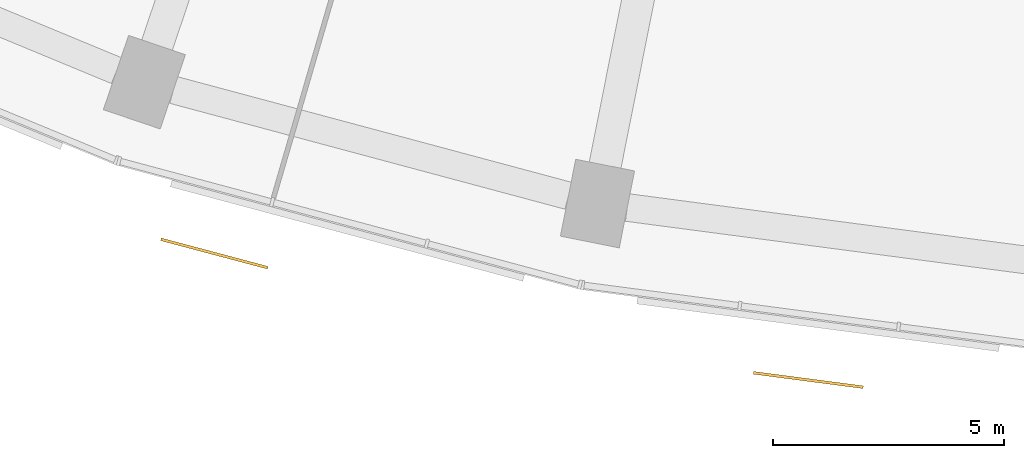
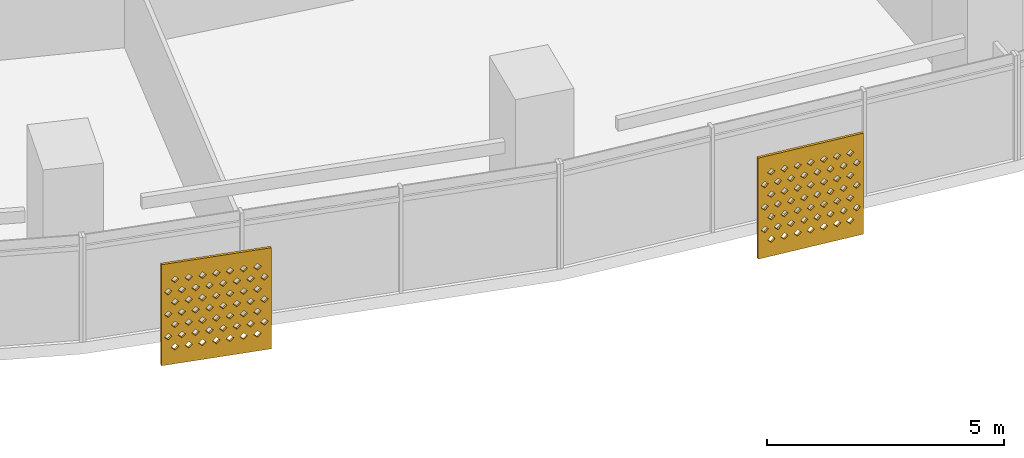
# One storey, part 27 of 31: 2 shading devices.
"""IFC4 building model written with IfcOpenShell, lengths in metres."""

from ifc_helpers import new_model, si_unit, direction, frame, origin, place, context, subcontext, project, spatial, polyline, outline, extrude, material, material_profile, profile_set, type_object, element, save


model = new_model("IFC4")

# Units and contexts
model_context = context("Model", 3, precision=1e-05, world=origin(), true_north=direction((0.0, 1.0)))
body_context = subcontext(model_context, "Body", "Model", "MODEL_VIEW")
ifc_project = project(units=[si_unit("LENGTHUNIT", "METRE"), si_unit("AREAUNIT", "SQUARE_METRE"), si_unit("VOLUMEUNIT", "CUBIC_METRE"), si_unit("PLANEANGLEUNIT", "RADIAN"), si_unit("MASSUNIT", "GRAM", prefix="KILO")], contexts=[model_context])

# Site, building, storey
site_placement = place(None, origin())
site = spatial("IfcSite", under=ifc_project, at=site_placement, CompositionType="ELEMENT")
building_placement = place(site_placement, origin())
building = spatial("IfcBuilding", under=site, at=building_placement, Name="Qamariyya Broadcast Tower", CompositionType="ELEMENT")
storey_placement = place(building_placement, frame((0.0, 0.0, 59.5)))
storey = spatial("IfcBuildingStorey", under=building, at=storey_placement, Name="L11", CompositionType="ELEMENT", Elevation=59.5)

# Shading devices
ifc_material = material(Name="Perforated glazed terracotta", Category="masonry")
ifc_material_profile = material_profile(ifc_material, outline(polyline([(-1.199951171875, -1.300048828125), (1.199951171875, -1.300048828125), (1.199951171875, 1.300048828125), (-1.199951171875, 1.300048828125), (-1.199951171875, -1.300048828125)]), holes=[polyline([(-0.81494140625, -0.86669921875), (-0.89990234375, -0.78173828125), (-0.985107421875, -0.86669921875), (-0.89990234375, -0.95166015625), (-0.81494140625, -0.86669921875)]), polyline([(-0.514892578125, -0.86669921875), (-0.60009765625, -0.78173828125), (-0.68505859375, -0.86669921875), (-0.60009765625, -0.95166015625), (-0.514892578125, -0.86669921875)]), polyline([(-0.215087890625, -0.86669921875), (-0.300048828125, -0.78173828125), (-0.385009765625, -0.86669921875), (-0.300048828125, -0.95166015625), (-0.215087890625, -0.86669921875)]), polyline([(0.0849609375, -0.86669921875), (0.0, -0.78173828125), (-0.0849609375, -0.86669921875), (0.0, -0.95166015625), (0.0849609375, -0.86669921875)]), polyline([(0.385009765625, -0.86669921875), (0.300048828125, -0.78173828125), (0.215087890625, -0.86669921875), (0.300048828125, -0.95166015625), (0.385009765625, -0.86669921875)]), polyline([(0.68505859375, -0.86669921875), (0.60009765625, -0.78173828125), (0.514892578125, -0.86669921875), (0.60009765625, -0.95166015625), (0.68505859375, -0.86669921875)]), polyline([(0.985107421875, -0.86669921875), (0.89990234375, -0.78173828125), (0.81494140625, -0.86669921875), (0.89990234375, -0.95166015625), (0.985107421875, -0.86669921875)]), polyline([(-0.965087890625, -0.577880859375), (-1.050048828125, -0.49267578125), (-1.135009765625, -0.577880859375), (-1.050048828125, -0.662841796875), (-0.965087890625, -0.577880859375)]), polyline([(-0.6650390625, -0.577880859375), (-0.75, -0.49267578125), (-0.8349609375, -0.577880859375), (-0.75, -0.662841796875), (-0.6650390625, -0.577880859375)]), polyline([(-0.364990234375, -0.577880859375), (-0.449951171875, -0.49267578125), (-0.534912109375, -0.577880859375), (-0.449951171875, -0.662841796875), (-0.364990234375, -0.577880859375)]), polyline([(-0.06494140625, -0.577880859375), (-0.14990234375, -0.49267578125), (-0.235107421875, -0.577880859375), (-0.14990234375, -0.662841796875), (-0.06494140625, -0.577880859375)]), polyline([(0.235107421875, -0.577880859375), (0.14990234375, -0.49267578125), (0.06494140625, -0.577880859375), (0.14990234375, -0.662841796875), (0.235107421875, -0.577880859375)]), polyline([(0.534912109375, -0.577880859375), (0.449951171875, -0.49267578125), (0.364990234375, -0.577880859375), (0.449951171875, -0.662841796875), (0.534912109375, -0.577880859375)]), polyline([(0.8349609375, -0.577880859375), (0.75, -0.49267578125), (0.6650390625, -0.577880859375), (0.75, -0.662841796875), (0.8349609375, -0.577880859375)]), polyline([(1.135009765625, -0.577880859375), (1.050048828125, -0.49267578125), (0.965087890625, -0.577880859375), (1.050048828125, -0.662841796875), (1.135009765625, -0.577880859375)]), polyline([(-0.81494140625, -0.288818359375), (-0.89990234375, -0.203857421875), (-0.985107421875, -0.288818359375), (-0.89990234375, -0.373779296875), (-0.81494140625, -0.288818359375)]), polyline([(-0.514892578125, -0.288818359375), (-0.60009765625, -0.203857421875), (-0.68505859375, -0.288818359375), (-0.60009765625, -0.373779296875), (-0.514892578125, -0.288818359375)]), polyline([(-0.215087890625, -0.288818359375), (-0.300048828125, -0.203857421875), (-0.385009765625, -0.288818359375), (-0.300048828125, -0.373779296875), (-0.215087890625, -0.288818359375)]), polyline([(0.0849609375, -0.288818359375), (0.0, -0.203857421875), (-0.0849609375, -0.288818359375), (0.0, -0.373779296875), (0.0849609375, -0.288818359375)]), polyline([(0.385009765625, -0.288818359375), (0.300048828125, -0.203857421875), (0.215087890625, -0.288818359375), (0.300048828125, -0.373779296875), (0.385009765625, -0.288818359375)]), polyline([(0.68505859375, -0.288818359375), (0.60009765625, -0.203857421875), (0.514892578125, -0.288818359375), (0.60009765625, -0.373779296875), (0.68505859375, -0.288818359375)]), polyline([(0.985107421875, -0.288818359375), (0.89990234375, -0.203857421875), (0.81494140625, -0.288818359375), (0.89990234375, -0.373779296875), (0.985107421875, -0.288818359375)]), polyline([(-0.965087890625, 0.0), (-1.050048828125, 0.0849609375), (-1.135009765625, 0.0), (-1.050048828125, -0.0849609375), (-0.965087890625, 0.0)]), polyline([(-0.6650390625, 0.0), (-0.75, 0.0849609375), (-0.8349609375, 0.0), (-0.75, -0.0849609375), (-0.6650390625, 0.0)]), polyline([(-0.364990234375, 0.0), (-0.449951171875, 0.0849609375), (-0.534912109375, 0.0), (-0.449951171875, -0.0849609375), (-0.364990234375, 0.0)]), polyline([(-0.06494140625, 0.0), (-0.14990234375, 0.0849609375), (-0.235107421875, 0.0), (-0.14990234375, -0.0849609375), (-0.06494140625, 0.0)]), polyline([(0.235107421875, 0.0), (0.14990234375, 0.0849609375), (0.06494140625, 0.0), (0.14990234375, -0.0849609375), (0.235107421875, 0.0)]), polyline([(0.534912109375, 0.0), (0.449951171875, 0.0849609375), (0.364990234375, 0.0), (0.449951171875, -0.0849609375), (0.534912109375, 0.0)]), polyline([(0.8349609375, 0.0), (0.75, 0.0849609375), (0.6650390625, 0.0), (0.75, -0.0849609375), (0.8349609375, 0.0)]), polyline([(1.135009765625, 0.0), (1.050048828125, 0.0849609375), (0.965087890625, 0.0), (1.050048828125, -0.0849609375), (1.135009765625, 0.0)]), polyline([(-0.81494140625, 0.288818359375), (-0.89990234375, 0.373779296875), (-0.985107421875, 0.288818359375), (-0.89990234375, 0.203857421875), (-0.81494140625, 0.288818359375)]), polyline([(-0.514892578125, 0.288818359375), (-0.60009765625, 0.373779296875), (-0.68505859375, 0.288818359375), (-0.60009765625, 0.203857421875), (-0.514892578125, 0.288818359375)]), polyline([(-0.215087890625, 0.288818359375), (-0.300048828125, 0.373779296875), (-0.385009765625, 0.288818359375), (-0.300048828125, 0.203857421875), (-0.215087890625, 0.288818359375)]), polyline([(0.0849609375, 0.288818359375), (0.0, 0.373779296875), (-0.0849609375, 0.288818359375), (0.0, 0.203857421875), (0.0849609375, 0.288818359375)]), polyline([(0.385009765625, 0.288818359375), (0.300048828125, 0.373779296875), (0.215087890625, 0.288818359375), (0.300048828125, 0.203857421875), (0.385009765625, 0.288818359375)]), polyline([(0.68505859375, 0.288818359375), (0.60009765625, 0.373779296875), (0.514892578125, 0.288818359375), (0.60009765625, 0.203857421875), (0.68505859375, 0.288818359375)]), polyline([(0.985107421875, 0.288818359375), (0.89990234375, 0.373779296875), (0.81494140625, 0.288818359375), (0.89990234375, 0.203857421875), (0.985107421875, 0.288818359375)]), polyline([(-0.965087890625, 0.577880859375), (-1.050048828125, 0.662841796875), (-1.135009765625, 0.577880859375), (-1.050048828125, 0.49267578125), (-0.965087890625, 0.577880859375)]), polyline([(-0.6650390625, 0.577880859375), (-0.75, 0.662841796875), (-0.8349609375, 0.577880859375), (-0.75, 0.49267578125), (-0.6650390625, 0.577880859375)]), polyline([(-0.364990234375, 0.577880859375), (-0.449951171875, 0.662841796875), (-0.534912109375, 0.577880859375), (-0.449951171875, 0.49267578125), (-0.364990234375, 0.577880859375)]), polyline([(-0.06494140625, 0.577880859375), (-0.14990234375, 0.662841796875), (-0.235107421875, 0.577880859375), (-0.14990234375, 0.49267578125), (-0.06494140625, 0.577880859375)]), polyline([(0.235107421875, 0.577880859375), (0.14990234375, 0.662841796875), (0.06494140625, 0.577880859375), (0.14990234375, 0.49267578125), (0.235107421875, 0.577880859375)]), polyline([(0.534912109375, 0.577880859375), (0.449951171875, 0.662841796875), (0.364990234375, 0.577880859375), (0.449951171875, 0.49267578125), (0.534912109375, 0.577880859375)]), polyline([(0.8349609375, 0.577880859375), (0.75, 0.662841796875), (0.6650390625, 0.577880859375), (0.75, 0.49267578125), (0.8349609375, 0.577880859375)]), polyline([(1.135009765625, 0.577880859375), (1.050048828125, 0.662841796875), (0.965087890625, 0.577880859375), (1.050048828125, 0.49267578125), (1.135009765625, 0.577880859375)]), polyline([(-0.81494140625, 0.86669921875), (-0.89990234375, 0.95166015625), (-0.985107421875, 0.86669921875), (-0.89990234375, 0.78173828125), (-0.81494140625, 0.86669921875)]), polyline([(-0.514892578125, 0.86669921875), (-0.60009765625, 0.95166015625), (-0.68505859375, 0.86669921875), (-0.60009765625, 0.78173828125), (-0.514892578125, 0.86669921875)]), polyline([(-0.215087890625, 0.86669921875), (-0.300048828125, 0.95166015625), (-0.385009765625, 0.86669921875), (-0.300048828125, 0.78173828125), (-0.215087890625, 0.86669921875)]), polyline([(0.0849609375, 0.86669921875), (0.0, 0.95166015625), (-0.0849609375, 0.86669921875), (0.0, 0.78173828125), (0.0849609375, 0.86669921875)]), polyline([(0.385009765625, 0.86669921875), (0.300048828125, 0.95166015625), (0.215087890625, 0.86669921875), (0.300048828125, 0.78173828125), (0.385009765625, 0.86669921875)]), polyline([(0.68505859375, 0.86669921875), (0.60009765625, 0.95166015625), (0.514892578125, 0.86669921875), (0.60009765625, 0.78173828125), (0.68505859375, 0.86669921875)]), polyline([(0.985107421875, 0.86669921875), (0.89990234375, 0.95166015625), (0.81494140625, 0.86669921875), (0.89990234375, 0.78173828125), (0.985107421875, 0.86669921875)])]))
ifc_profile_set = profile_set([ifc_material_profile], Name="Perforated glazed terracotta")
shading_device_type = type_object("IfcShadingDeviceType", Name="Perforated terracotta screen 2400 x 2600", PredefinedType="USERDEFINED", material=ifc_profile_set)
shading_device_1_placement = place(storey_placement, frame((-23.466064453125, -77.310302734375, 1.35009765625), z_axis=(-0.256901156343, -0.966437683387, 0.0), x_axis=(0.966437683387, -0.256901156343, 0.0)))
element("IfcShadingDevice", 1, at=shading_device_1_placement, inside=storey, type_object=shading_device_type, Name="e-scr-L11-06-0", ObjectType="SCREEN", PredefinedType="USERDEFINED", context=body_context, shape_type="SweptSolid", body=[
    extrude(outline(polyline([(-1.199951171875, -1.300048828125), (1.199951171875, -1.300048828125), (1.199951171875, 1.300048828125), (-1.199951171875, 1.300048828125), (-1.199951171875, -1.300048828125)]), holes=[polyline([(-0.81494140625, -0.86669921875), (-0.89990234375, -0.78173828125), (-0.985107421875, -0.86669921875), (-0.89990234375, -0.95166015625), (-0.81494140625, -0.86669921875)]), polyline([(-0.514892578125, -0.86669921875), (-0.60009765625, -0.78173828125), (-0.68505859375, -0.86669921875), (-0.60009765625, -0.95166015625), (-0.514892578125, -0.86669921875)]), polyline([(-0.215087890625, -0.86669921875), (-0.300048828125, -0.78173828125), (-0.385009765625, -0.86669921875), (-0.300048828125, -0.95166015625), (-0.215087890625, -0.86669921875)]), polyline([(0.0849609375, -0.86669921875), (0.0, -0.78173828125), (-0.0849609375, -0.86669921875), (0.0, -0.95166015625), (0.0849609375, -0.86669921875)]), polyline([(0.385009765625, -0.86669921875), (0.300048828125, -0.78173828125), (0.215087890625, -0.86669921875), (0.300048828125, -0.95166015625), (0.385009765625, -0.86669921875)]), polyline([(0.68505859375, -0.86669921875), (0.60009765625, -0.78173828125), (0.514892578125, -0.86669921875), (0.60009765625, -0.95166015625), (0.68505859375, -0.86669921875)]), polyline([(0.985107421875, -0.86669921875), (0.89990234375, -0.78173828125), (0.81494140625, -0.86669921875), (0.89990234375, -0.95166015625), (0.985107421875, -0.86669921875)]), polyline([(-0.965087890625, -0.577880859375), (-1.050048828125, -0.49267578125), (-1.135009765625, -0.577880859375), (-1.050048828125, -0.662841796875), (-0.965087890625, -0.577880859375)]), polyline([(-0.6650390625, -0.577880859375), (-0.75, -0.49267578125), (-0.8349609375, -0.577880859375), (-0.75, -0.662841796875), (-0.6650390625, -0.577880859375)]), polyline([(-0.364990234375, -0.577880859375), (-0.449951171875, -0.49267578125), (-0.534912109375, -0.577880859375), (-0.449951171875, -0.662841796875), (-0.364990234375, -0.577880859375)]), polyline([(-0.06494140625, -0.577880859375), (-0.14990234375, -0.49267578125), (-0.235107421875, -0.577880859375), (-0.14990234375, -0.662841796875), (-0.06494140625, -0.577880859375)]), polyline([(0.235107421875, -0.577880859375), (0.14990234375, -0.49267578125), (0.06494140625, -0.577880859375), (0.14990234375, -0.662841796875), (0.235107421875, -0.577880859375)]), polyline([(0.534912109375, -0.577880859375), (0.449951171875, -0.49267578125), (0.364990234375, -0.577880859375), (0.449951171875, -0.662841796875), (0.534912109375, -0.577880859375)]), polyline([(0.8349609375, -0.577880859375), (0.75, -0.49267578125), (0.6650390625, -0.577880859375), (0.75, -0.662841796875), (0.8349609375, -0.577880859375)]), polyline([(1.135009765625, -0.577880859375), (1.050048828125, -0.49267578125), (0.965087890625, -0.577880859375), (1.050048828125, -0.662841796875), (1.135009765625, -0.577880859375)]), polyline([(-0.81494140625, -0.288818359375), (-0.89990234375, -0.203857421875), (-0.985107421875, -0.288818359375), (-0.89990234375, -0.373779296875), (-0.81494140625, -0.288818359375)]), polyline([(-0.514892578125, -0.288818359375), (-0.60009765625, -0.203857421875), (-0.68505859375, -0.288818359375), (-0.60009765625, -0.373779296875), (-0.514892578125, -0.288818359375)]), polyline([(-0.215087890625, -0.288818359375), (-0.300048828125, -0.203857421875), (-0.385009765625, -0.288818359375), (-0.300048828125, -0.373779296875), (-0.215087890625, -0.288818359375)]), polyline([(0.0849609375, -0.288818359375), (0.0, -0.203857421875), (-0.0849609375, -0.288818359375), (0.0, -0.373779296875), (0.0849609375, -0.288818359375)]), polyline([(0.385009765625, -0.288818359375), (0.300048828125, -0.203857421875), (0.215087890625, -0.288818359375), (0.300048828125, -0.373779296875), (0.385009765625, -0.288818359375)]), polyline([(0.68505859375, -0.288818359375), (0.60009765625, -0.203857421875), (0.514892578125, -0.288818359375), (0.60009765625, -0.373779296875), (0.68505859375, -0.288818359375)]), polyline([(0.985107421875, -0.288818359375), (0.89990234375, -0.203857421875), (0.81494140625, -0.288818359375), (0.89990234375, -0.373779296875), (0.985107421875, -0.288818359375)]), polyline([(-0.965087890625, 0.0), (-1.050048828125, 0.0849609375), (-1.135009765625, 0.0), (-1.050048828125, -0.0849609375), (-0.965087890625, 0.0)]), polyline([(-0.6650390625, 0.0), (-0.75, 0.0849609375), (-0.8349609375, 0.0), (-0.75, -0.0849609375), (-0.6650390625, 0.0)]), polyline([(-0.364990234375, 0.0), (-0.449951171875, 0.0849609375), (-0.534912109375, 0.0), (-0.449951171875, -0.0849609375), (-0.364990234375, 0.0)]), polyline([(-0.06494140625, 0.0), (-0.14990234375, 0.0849609375), (-0.235107421875, 0.0), (-0.14990234375, -0.0849609375), (-0.06494140625, 0.0)]), polyline([(0.235107421875, 0.0), (0.14990234375, 0.0849609375), (0.06494140625, 0.0), (0.14990234375, -0.0849609375), (0.235107421875, 0.0)]), polyline([(0.534912109375, 0.0), (0.449951171875, 0.0849609375), (0.364990234375, 0.0), (0.449951171875, -0.0849609375), (0.534912109375, 0.0)]), polyline([(0.8349609375, 0.0), (0.75, 0.0849609375), (0.6650390625, 0.0), (0.75, -0.0849609375), (0.8349609375, 0.0)]), polyline([(1.135009765625, 0.0), (1.050048828125, 0.0849609375), (0.965087890625, 0.0), (1.050048828125, -0.0849609375), (1.135009765625, 0.0)]), polyline([(-0.81494140625, 0.288818359375), (-0.89990234375, 0.373779296875), (-0.985107421875, 0.288818359375), (-0.89990234375, 0.203857421875), (-0.81494140625, 0.288818359375)]), polyline([(-0.514892578125, 0.288818359375), (-0.60009765625, 0.373779296875), (-0.68505859375, 0.288818359375), (-0.60009765625, 0.203857421875), (-0.514892578125, 0.288818359375)]), polyline([(-0.215087890625, 0.288818359375), (-0.300048828125, 0.373779296875), (-0.385009765625, 0.288818359375), (-0.300048828125, 0.203857421875), (-0.215087890625, 0.288818359375)]), polyline([(0.0849609375, 0.288818359375), (0.0, 0.373779296875), (-0.0849609375, 0.288818359375), (0.0, 0.203857421875), (0.0849609375, 0.288818359375)]), polyline([(0.385009765625, 0.288818359375), (0.300048828125, 0.373779296875), (0.215087890625, 0.288818359375), (0.300048828125, 0.203857421875), (0.385009765625, 0.288818359375)]), polyline([(0.68505859375, 0.288818359375), (0.60009765625, 0.373779296875), (0.514892578125, 0.288818359375), (0.60009765625, 0.203857421875), (0.68505859375, 0.288818359375)]), polyline([(0.985107421875, 0.288818359375), (0.89990234375, 0.373779296875), (0.81494140625, 0.288818359375), (0.89990234375, 0.203857421875), (0.985107421875, 0.288818359375)]), polyline([(-0.965087890625, 0.577880859375), (-1.050048828125, 0.662841796875), (-1.135009765625, 0.577880859375), (-1.050048828125, 0.49267578125), (-0.965087890625, 0.577880859375)]), polyline([(-0.6650390625, 0.577880859375), (-0.75, 0.662841796875), (-0.8349609375, 0.577880859375), (-0.75, 0.49267578125), (-0.6650390625, 0.577880859375)]), polyline([(-0.364990234375, 0.577880859375), (-0.449951171875, 0.662841796875), (-0.534912109375, 0.577880859375), (-0.449951171875, 0.49267578125), (-0.364990234375, 0.577880859375)]), polyline([(-0.06494140625, 0.577880859375), (-0.14990234375, 0.662841796875), (-0.235107421875, 0.577880859375), (-0.14990234375, 0.49267578125), (-0.06494140625, 0.577880859375)]), polyline([(0.235107421875, 0.577880859375), (0.14990234375, 0.662841796875), (0.06494140625, 0.577880859375), (0.14990234375, 0.49267578125), (0.235107421875, 0.577880859375)]), polyline([(0.534912109375, 0.577880859375), (0.449951171875, 0.662841796875), (0.364990234375, 0.577880859375), (0.449951171875, 0.49267578125), (0.534912109375, 0.577880859375)]), polyline([(0.8349609375, 0.577880859375), (0.75, 0.662841796875), (0.6650390625, 0.577880859375), (0.75, 0.49267578125), (0.8349609375, 0.577880859375)]), polyline([(1.135009765625, 0.577880859375), (1.050048828125, 0.662841796875), (0.965087890625, 0.577880859375), (1.050048828125, 0.49267578125), (1.135009765625, 0.577880859375)]), polyline([(-0.81494140625, 0.86669921875), (-0.89990234375, 0.95166015625), (-0.985107421875, 0.86669921875), (-0.89990234375, 0.78173828125), (-0.81494140625, 0.86669921875)]), polyline([(-0.514892578125, 0.86669921875), (-0.60009765625, 0.95166015625), (-0.68505859375, 0.86669921875), (-0.60009765625, 0.78173828125), (-0.514892578125, 0.86669921875)]), polyline([(-0.215087890625, 0.86669921875), (-0.300048828125, 0.95166015625), (-0.385009765625, 0.86669921875), (-0.300048828125, 0.78173828125), (-0.215087890625, 0.86669921875)]), polyline([(0.0849609375, 0.86669921875), (0.0, 0.95166015625), (-0.0849609375, 0.86669921875), (0.0, 0.78173828125), (0.0849609375, 0.86669921875)]), polyline([(0.385009765625, 0.86669921875), (0.300048828125, 0.95166015625), (0.215087890625, 0.86669921875), (0.300048828125, 0.78173828125), (0.385009765625, 0.86669921875)]), polyline([(0.68505859375, 0.86669921875), (0.60009765625, 0.95166015625), (0.514892578125, 0.86669921875), (0.60009765625, 0.78173828125), (0.68505859375, 0.86669921875)]), polyline([(0.985107421875, 0.86669921875), (0.89990234375, 0.95166015625), (0.81494140625, 0.86669921875), (0.89990234375, 0.78173828125), (0.985107421875, 0.86669921875)])]), origin(), (0.0, 0.0, 1.0), 0.059814453125),
])
shading_device_2_placement = place(storey_placement, frame((-10.591796875, -80.0517578125, 1.35009765625), z_axis=(-0.1300340368, -0.991509530601, 0.0), x_axis=(0.991509530601, -0.1300340368, 0.0)))
element("IfcShadingDevice", 2, at=shading_device_2_placement, inside=storey, type_object=shading_device_type, Name="e-scr-L11-07-1", ObjectType="SCREEN", PredefinedType="USERDEFINED", context=body_context, shape_type="SweptSolid", body=[
    extrude(outline(polyline([(-1.199951171875, -1.300048828125), (1.199951171875, -1.300048828125), (1.199951171875, 1.300048828125), (-1.199951171875, 1.300048828125), (-1.199951171875, -1.300048828125)]), holes=[polyline([(-0.81494140625, -0.86669921875), (-0.89990234375, -0.78173828125), (-0.985107421875, -0.86669921875), (-0.89990234375, -0.95166015625), (-0.81494140625, -0.86669921875)]), polyline([(-0.514892578125, -0.86669921875), (-0.60009765625, -0.78173828125), (-0.68505859375, -0.86669921875), (-0.60009765625, -0.95166015625), (-0.514892578125, -0.86669921875)]), polyline([(-0.215087890625, -0.86669921875), (-0.300048828125, -0.78173828125), (-0.385009765625, -0.86669921875), (-0.300048828125, -0.95166015625), (-0.215087890625, -0.86669921875)]), polyline([(0.0849609375, -0.86669921875), (0.0, -0.78173828125), (-0.0849609375, -0.86669921875), (0.0, -0.95166015625), (0.0849609375, -0.86669921875)]), polyline([(0.385009765625, -0.86669921875), (0.300048828125, -0.78173828125), (0.215087890625, -0.86669921875), (0.300048828125, -0.95166015625), (0.385009765625, -0.86669921875)]), polyline([(0.68505859375, -0.86669921875), (0.60009765625, -0.78173828125), (0.514892578125, -0.86669921875), (0.60009765625, -0.95166015625), (0.68505859375, -0.86669921875)]), polyline([(0.985107421875, -0.86669921875), (0.89990234375, -0.78173828125), (0.81494140625, -0.86669921875), (0.89990234375, -0.95166015625), (0.985107421875, -0.86669921875)]), polyline([(-0.965087890625, -0.577880859375), (-1.050048828125, -0.49267578125), (-1.135009765625, -0.577880859375), (-1.050048828125, -0.662841796875), (-0.965087890625, -0.577880859375)]), polyline([(-0.6650390625, -0.577880859375), (-0.75, -0.49267578125), (-0.8349609375, -0.577880859375), (-0.75, -0.662841796875), (-0.6650390625, -0.577880859375)]), polyline([(-0.364990234375, -0.577880859375), (-0.449951171875, -0.49267578125), (-0.534912109375, -0.577880859375), (-0.449951171875, -0.662841796875), (-0.364990234375, -0.577880859375)]), polyline([(-0.06494140625, -0.577880859375), (-0.14990234375, -0.49267578125), (-0.235107421875, -0.577880859375), (-0.14990234375, -0.662841796875), (-0.06494140625, -0.577880859375)]), polyline([(0.235107421875, -0.577880859375), (0.14990234375, -0.49267578125), (0.06494140625, -0.577880859375), (0.14990234375, -0.662841796875), (0.235107421875, -0.577880859375)]), polyline([(0.534912109375, -0.577880859375), (0.449951171875, -0.49267578125), (0.364990234375, -0.577880859375), (0.449951171875, -0.662841796875), (0.534912109375, -0.577880859375)]), polyline([(0.8349609375, -0.577880859375), (0.75, -0.49267578125), (0.6650390625, -0.577880859375), (0.75, -0.662841796875), (0.8349609375, -0.577880859375)]), polyline([(1.135009765625, -0.577880859375), (1.050048828125, -0.49267578125), (0.965087890625, -0.577880859375), (1.050048828125, -0.662841796875), (1.135009765625, -0.577880859375)]), polyline([(-0.81494140625, -0.288818359375), (-0.89990234375, -0.203857421875), (-0.985107421875, -0.288818359375), (-0.89990234375, -0.373779296875), (-0.81494140625, -0.288818359375)]), polyline([(-0.514892578125, -0.288818359375), (-0.60009765625, -0.203857421875), (-0.68505859375, -0.288818359375), (-0.60009765625, -0.373779296875), (-0.514892578125, -0.288818359375)]), polyline([(-0.215087890625, -0.288818359375), (-0.300048828125, -0.203857421875), (-0.385009765625, -0.288818359375), (-0.300048828125, -0.373779296875), (-0.215087890625, -0.288818359375)]), polyline([(0.0849609375, -0.288818359375), (0.0, -0.203857421875), (-0.0849609375, -0.288818359375), (0.0, -0.373779296875), (0.0849609375, -0.288818359375)]), polyline([(0.385009765625, -0.288818359375), (0.300048828125, -0.203857421875), (0.215087890625, -0.288818359375), (0.300048828125, -0.373779296875), (0.385009765625, -0.288818359375)]), polyline([(0.68505859375, -0.288818359375), (0.60009765625, -0.203857421875), (0.514892578125, -0.288818359375), (0.60009765625, -0.373779296875), (0.68505859375, -0.288818359375)]), polyline([(0.985107421875, -0.288818359375), (0.89990234375, -0.203857421875), (0.81494140625, -0.288818359375), (0.89990234375, -0.373779296875), (0.985107421875, -0.288818359375)]), polyline([(-0.965087890625, 0.0), (-1.050048828125, 0.0849609375), (-1.135009765625, 0.0), (-1.050048828125, -0.0849609375), (-0.965087890625, 0.0)]), polyline([(-0.6650390625, 0.0), (-0.75, 0.0849609375), (-0.8349609375, 0.0), (-0.75, -0.0849609375), (-0.6650390625, 0.0)]), polyline([(-0.364990234375, 0.0), (-0.449951171875, 0.0849609375), (-0.534912109375, 0.0), (-0.449951171875, -0.0849609375), (-0.364990234375, 0.0)]), polyline([(-0.06494140625, 0.0), (-0.14990234375, 0.0849609375), (-0.235107421875, 0.0), (-0.14990234375, -0.0849609375), (-0.06494140625, 0.0)]), polyline([(0.235107421875, 0.0), (0.14990234375, 0.0849609375), (0.06494140625, 0.0), (0.14990234375, -0.0849609375), (0.235107421875, 0.0)]), polyline([(0.534912109375, 0.0), (0.449951171875, 0.0849609375), (0.364990234375, 0.0), (0.449951171875, -0.0849609375), (0.534912109375, 0.0)]), polyline([(0.8349609375, 0.0), (0.75, 0.0849609375), (0.6650390625, 0.0), (0.75, -0.0849609375), (0.8349609375, 0.0)]), polyline([(1.135009765625, 0.0), (1.050048828125, 0.0849609375), (0.965087890625, 0.0), (1.050048828125, -0.0849609375), (1.135009765625, 0.0)]), polyline([(-0.81494140625, 0.288818359375), (-0.89990234375, 0.373779296875), (-0.985107421875, 0.288818359375), (-0.89990234375, 0.203857421875), (-0.81494140625, 0.288818359375)]), polyline([(-0.514892578125, 0.288818359375), (-0.60009765625, 0.373779296875), (-0.68505859375, 0.288818359375), (-0.60009765625, 0.203857421875), (-0.514892578125, 0.288818359375)]), polyline([(-0.215087890625, 0.288818359375), (-0.300048828125, 0.373779296875), (-0.385009765625, 0.288818359375), (-0.300048828125, 0.203857421875), (-0.215087890625, 0.288818359375)]), polyline([(0.0849609375, 0.288818359375), (0.0, 0.373779296875), (-0.0849609375, 0.288818359375), (0.0, 0.203857421875), (0.0849609375, 0.288818359375)]), polyline([(0.385009765625, 0.288818359375), (0.300048828125, 0.373779296875), (0.215087890625, 0.288818359375), (0.300048828125, 0.203857421875), (0.385009765625, 0.288818359375)]), polyline([(0.68505859375, 0.288818359375), (0.60009765625, 0.373779296875), (0.514892578125, 0.288818359375), (0.60009765625, 0.203857421875), (0.68505859375, 0.288818359375)]), polyline([(0.985107421875, 0.288818359375), (0.89990234375, 0.373779296875), (0.81494140625, 0.288818359375), (0.89990234375, 0.203857421875), (0.985107421875, 0.288818359375)]), polyline([(-0.965087890625, 0.577880859375), (-1.050048828125, 0.662841796875), (-1.135009765625, 0.577880859375), (-1.050048828125, 0.49267578125), (-0.965087890625, 0.577880859375)]), polyline([(-0.6650390625, 0.577880859375), (-0.75, 0.662841796875), (-0.8349609375, 0.577880859375), (-0.75, 0.49267578125), (-0.6650390625, 0.577880859375)]), polyline([(-0.364990234375, 0.577880859375), (-0.449951171875, 0.662841796875), (-0.534912109375, 0.577880859375), (-0.449951171875, 0.49267578125), (-0.364990234375, 0.577880859375)]), polyline([(-0.06494140625, 0.577880859375), (-0.14990234375, 0.662841796875), (-0.235107421875, 0.577880859375), (-0.14990234375, 0.49267578125), (-0.06494140625, 0.577880859375)]), polyline([(0.235107421875, 0.577880859375), (0.14990234375, 0.662841796875), (0.06494140625, 0.577880859375), (0.14990234375, 0.49267578125), (0.235107421875, 0.577880859375)]), polyline([(0.534912109375, 0.577880859375), (0.449951171875, 0.662841796875), (0.364990234375, 0.577880859375), (0.449951171875, 0.49267578125), (0.534912109375, 0.577880859375)]), polyline([(0.8349609375, 0.577880859375), (0.75, 0.662841796875), (0.6650390625, 0.577880859375), (0.75, 0.49267578125), (0.8349609375, 0.577880859375)]), polyline([(1.135009765625, 0.577880859375), (1.050048828125, 0.662841796875), (0.965087890625, 0.577880859375), (1.050048828125, 0.49267578125), (1.135009765625, 0.577880859375)]), polyline([(-0.81494140625, 0.86669921875), (-0.89990234375, 0.95166015625), (-0.985107421875, 0.86669921875), (-0.89990234375, 0.78173828125), (-0.81494140625, 0.86669921875)]), polyline([(-0.514892578125, 0.86669921875), (-0.60009765625, 0.95166015625), (-0.68505859375, 0.86669921875), (-0.60009765625, 0.78173828125), (-0.514892578125, 0.86669921875)]), polyline([(-0.215087890625, 0.86669921875), (-0.300048828125, 0.95166015625), (-0.385009765625, 0.86669921875), (-0.300048828125, 0.78173828125), (-0.215087890625, 0.86669921875)]), polyline([(0.0849609375, 0.86669921875), (0.0, 0.95166015625), (-0.0849609375, 0.86669921875), (0.0, 0.78173828125), (0.0849609375, 0.86669921875)]), polyline([(0.385009765625, 0.86669921875), (0.300048828125, 0.95166015625), (0.215087890625, 0.86669921875), (0.300048828125, 0.78173828125), (0.385009765625, 0.86669921875)]), polyline([(0.68505859375, 0.86669921875), (0.60009765625, 0.95166015625), (0.514892578125, 0.86669921875), (0.60009765625, 0.78173828125), (0.68505859375, 0.86669921875)]), polyline([(0.985107421875, 0.86669921875), (0.89990234375, 0.95166015625), (0.81494140625, 0.86669921875), (0.89990234375, 0.78173828125), (0.985107421875, 0.86669921875)])]), origin(), (0.0, 0.0, 1.0), 0.06005859375),
])

save(model, "model.ifc")
